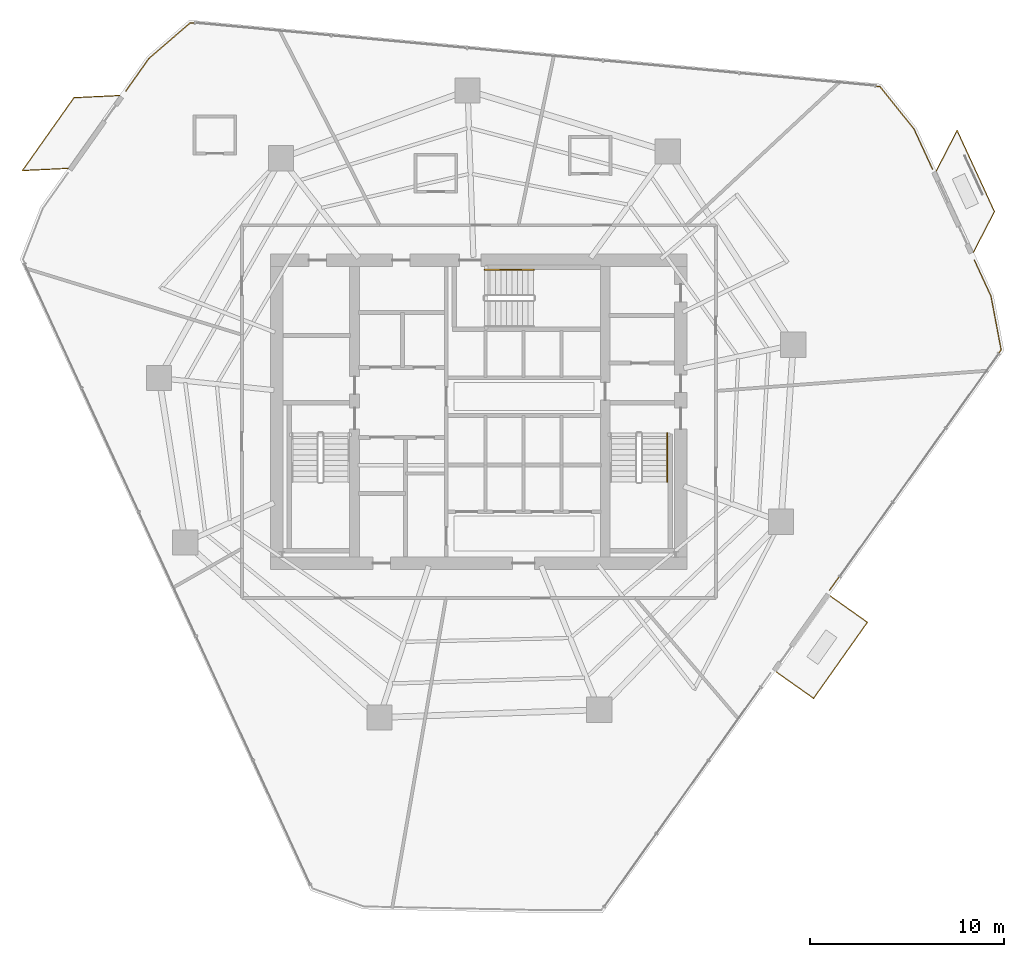
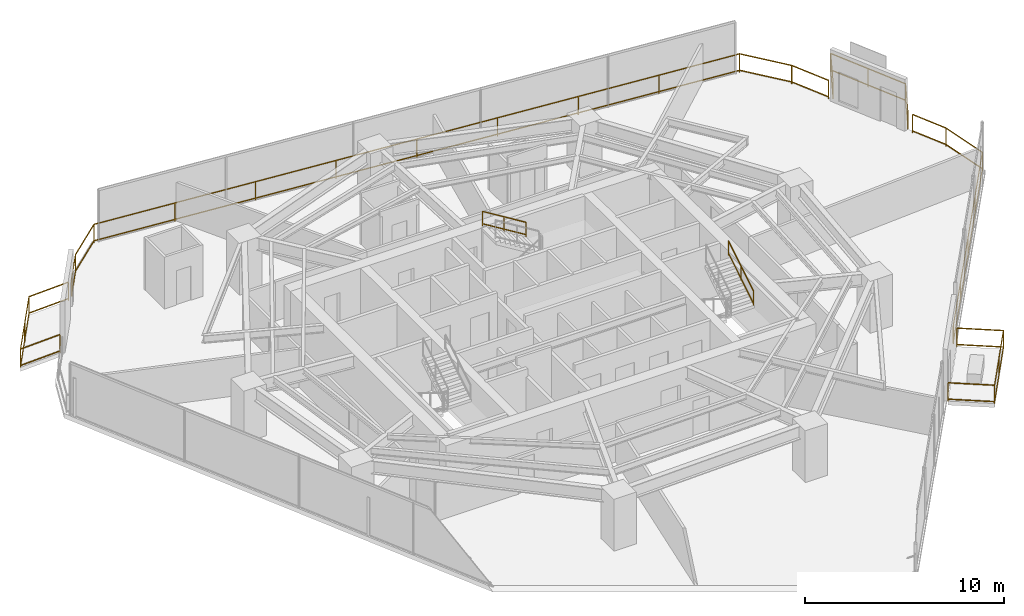
# One storey, part 30 of 30: 8 railings.
"""IFC4 building model written with IfcOpenShell, lengths in metres."""

from ifc_helpers import new_model, si_unit, direction, frame, origin, origin_2d, place, context, subcontext, project, spatial, rectangle, extrude, material, type_object, element, save


model = new_model("IFC4")

# Units and contexts
model_context = context("Model", 3, precision=1e-05, world=origin(), true_north=direction((0.0, 1.0)))
body_context = subcontext(model_context, "Body", "Model", "MODEL_VIEW")
ifc_project = project(units=[si_unit("LENGTHUNIT", "METRE"), si_unit("AREAUNIT", "SQUARE_METRE"), si_unit("VOLUMEUNIT", "CUBIC_METRE"), si_unit("PLANEANGLEUNIT", "RADIAN"), si_unit("MASSUNIT", "GRAM", prefix="KILO")], contexts=[model_context])

# Site, building, storey
site_placement = place(None, origin())
site = spatial("IfcSite", under=ifc_project, at=site_placement, CompositionType="ELEMENT")
building_placement = place(site_placement, origin())
building = spatial("IfcBuilding", under=site, at=building_placement, Name="Qarnah Convention Tower", CompositionType="ELEMENT")
storey_placement = place(building_placement, frame((0.0, 0.0, 47.699951171875)))
storey = spatial("IfcBuildingStorey", under=building, at=storey_placement, Name="L11", CompositionType="ELEMENT", Elevation=47.699951171875)

# Railings
ifc_material_1 = material(Name="Black anodised aluminium", Category="aluminium")
railing_type_1 = type_object("IfcRailingType", Name="RL-EXT-GUARD-1150", PredefinedType="GUARDRAIL", material=ifc_material_1)
railing_1_placement = place(storey_placement, frame((59.60400390625, 40.947021484375, 0.0)))
element("IfcRailing", 1, at=railing_1_placement, inside=storey, type_object=railing_type_1, Name="L11 slab-edge perimeter safety guard 01", PredefinedType="GUARDRAIL", context=body_context, shape_type="SweptSolid", body=[
    extrude(rectangle(XDim=0.048095703125, YDim=0.048095703125, at=origin_2d()), frame((0.0, 0.0, 1.1259765625), z_axis=(0.418324771203, -0.908297520528, 0.0), x_axis=(0.908297520528, 0.418324771203, 0.0)), (0.0, 0.0, 1.0), 2.25927734375),
    extrude(rectangle(XDim=0.048095703125, YDim=0.048095703125, at=origin_2d()), frame((0.0, 0.0, 0.1201171875), z_axis=(0.418324771203, -0.908297520528, 0.0), x_axis=(0.908297520528, 0.418324771203, 0.0)), (0.0, 0.0, 1.0), 2.25927734375),
    extrude(rectangle(XDim=0.0419921875, YDim=0.0419921875, at=origin_2d()), origin(), (0.0, 0.0, 1.0), 1.101806640625),
    extrude(rectangle(XDim=0.0419921875, YDim=0.0419921875, at=origin_2d()), frame((0.945068359375, -2.052001953125, 0.0)), (0.0, 0.0, 1.0), 1.101806640625),
])
railing_2_placement = place(storey_placement, frame((62.7060546875, 34.208984375, 0.0)))
element("IfcRailing", 2, at=railing_2_placement, inside=storey, type_object=railing_type_1, Name="L11 slab-edge perimeter safety guard 02", PredefinedType="GUARDRAIL", context=body_context, shape_type="SweptSolid", body=[
    extrude(rectangle(XDim=0.048095703125, YDim=0.048095703125, at=origin_2d()), frame((0.0, 0.0, 1.1259765625), z_axis=(0.418241926385, -0.908335670892, 0.0), x_axis=(0.908335670892, 0.418241926385, 0.0)), (0.0, 0.0, 1.0), 2.048828125),
    extrude(rectangle(XDim=0.048095703125, YDim=0.048095703125, at=origin_2d()), frame((0.0, 0.0, 0.1201171875), z_axis=(0.418241926385, -0.908335670892, 0.0), x_axis=(0.908335670892, 0.418241926385, 0.0)), (0.0, 0.0, 1.0), 2.048828125),
    extrude(rectangle(XDim=0.048095703125, YDim=0.048095703125, at=origin_2d()), frame((0.85693359375, -1.861083984375, 1.1259765625), z_axis=(0.185905281304, -0.982567670129, 0.0), x_axis=(0.982567670129, 0.185905281304, 0.0)), (0.0, 0.0, 1.0), 2.8076171875),
    extrude(rectangle(XDim=0.048095703125, YDim=0.048095703125, at=origin_2d()), frame((0.85693359375, -1.861083984375, 0.1201171875), z_axis=(0.185905281304, -0.982567670129, 0.0), x_axis=(0.982567670129, 0.185905281304, 0.0)), (0.0, 0.0, 1.0), 2.8076171875),
    extrude(rectangle(XDim=0.048095703125, YDim=0.048095703125, at=origin_2d()), frame((1.37890625, -4.619873046875, 1.1259765625), z_axis=(-0.580780937335, -0.814059888969, 0.0), x_axis=(0.814059888969, -0.580780937335, 0.0)), (0.0, 0.0, 1.0), 15.20556640625),
    extrude(rectangle(XDim=0.048095703125, YDim=0.048095703125, at=origin_2d()), frame((1.37890625, -4.619873046875, 0.1201171875), z_axis=(-0.580780937335, -0.814059888969, 0.0), x_axis=(0.814059888969, -0.580780937335, 0.0)), (0.0, 0.0, 1.0), 15.20556640625),
    extrude(rectangle(XDim=0.0419921875, YDim=0.0419921875, at=origin_2d()), origin(), (0.0, 0.0, 1.0), 1.101806640625),
    extrude(rectangle(XDim=0.0419921875, YDim=0.0419921875, at=origin_2d()), frame((0.85693359375, -1.861083984375, 0.0)), (0.0, 0.0, 1.0), 1.101806640625),
    extrude(rectangle(XDim=0.0419921875, YDim=0.0419921875, at=origin_2d()), frame((1.37890625, -4.619873046875, 0.0)), (0.0, 0.0, 1.0), 1.101806640625),
    extrude(rectangle(XDim=0.0419921875, YDim=0.0419921875, at=origin_2d()), frame((-0.828857421875, -7.71435546875, 0.0)), (0.0, 0.0, 1.0), 1.101806640625),
    extrude(rectangle(XDim=0.0419921875, YDim=0.0419921875, at=origin_2d()), frame((-3.03662109375, -10.80908203125, 0.0)), (0.0, 0.0, 1.0), 1.101806640625),
    extrude(rectangle(XDim=0.0419921875, YDim=0.0419921875, at=origin_2d()), frame((-5.244384765625, -13.903564453125, 0.0)), (0.0, 0.0, 1.0), 1.101806640625),
    extrude(rectangle(XDim=0.0419921875, YDim=0.0419921875, at=origin_2d()), frame((-7.4521484375, -16.998046875, 0.0)), (0.0, 0.0, 1.0), 1.101806640625),
])
railing_3_placement = place(storey_placement, frame((19.034912109375, 42.9140625, 0.0)))
element("IfcRailing", 3, at=railing_3_placement, inside=storey, type_object=railing_type_1, Name="L11 slab-edge perimeter safety guard 04", PredefinedType="GUARDRAIL", context=body_context, shape_type="SweptSolid", body=[
    extrude(rectangle(XDim=0.048095703125, YDim=0.048095703125, at=origin_2d()), frame((0.0, 0.0, 1.1259765625), z_axis=(0.577739678297, 0.816221087771, 0.0), x_axis=(-0.816221087771, 0.577739678297, 0.0)), (0.0, 0.0, 1.0), 2.049560546875),
    extrude(rectangle(XDim=0.048095703125, YDim=0.048095703125, at=origin_2d()), frame((0.0, 0.0, 0.1201171875), z_axis=(0.577739678297, 0.816221087771, 0.0), x_axis=(-0.816221087771, 0.577739678297, 0.0)), (0.0, 0.0, 1.0), 2.049560546875),
    extrude(rectangle(XDim=0.048095703125, YDim=0.048095703125, at=origin_2d()), frame((1.18408203125, 1.6728515625, 1.1259765625), z_axis=(0.757830898488, 0.65245101678, 0.0), x_axis=(-0.65245101678, 0.757830898488, 0.0)), (0.0, 0.0, 1.0), 2.807861328125),
    extrude(rectangle(XDim=0.048095703125, YDim=0.048095703125, at=origin_2d()), frame((1.18408203125, 1.6728515625, 0.1201171875), z_axis=(0.757830898488, 0.65245101678, 0.0), x_axis=(-0.65245101678, 0.757830898488, 0.0)), (0.0, 0.0, 1.0), 2.807861328125),
    extrude(rectangle(XDim=0.048095703125, YDim=0.048095703125, at=origin_2d()), frame((3.31201171875, 3.5048828125, 1.1259765625), z_axis=(0.99575642278, -0.092027965819, 0.0), x_axis=(0.092027965819, 0.99575642278, 0.0)), (0.0, 0.0, 1.0), 35.65234375),
    extrude(rectangle(XDim=0.048095703125, YDim=0.048095703125, at=origin_2d()), frame((3.31201171875, 3.5048828125, 0.1201171875), z_axis=(0.99575642278, -0.092027965819, 0.0), x_axis=(0.092027965819, 0.99575642278, 0.0)), (0.0, 0.0, 1.0), 35.65234375),
    extrude(rectangle(XDim=0.048095703125, YDim=0.048095703125, at=origin_2d()), frame((38.81298828125, 0.223876953125, 1.1259765625), z_axis=(0.625426420015, -0.780283149342, 0.0), x_axis=(0.780283149342, 0.625426420015, 0.0)), (0.0, 0.0, 1.0), 2.807861328125),
    extrude(rectangle(XDim=0.048095703125, YDim=0.048095703125, at=origin_2d()), frame((38.81298828125, 0.223876953125, 0.1201171875), z_axis=(0.625426420015, -0.780283149342, 0.0), x_axis=(0.780283149342, 0.625426420015, 0.0)), (0.0, 0.0, 1.0), 2.807861328125),
    extrude(rectangle(XDim=0.0419921875, YDim=0.0419921875, at=origin_2d()), origin(), (0.0, 0.0, 1.0), 1.101806640625),
    extrude(rectangle(XDim=0.0419921875, YDim=0.0419921875, at=origin_2d()), frame((1.18408203125, 1.6728515625, 0.0)), (0.0, 0.0, 1.0), 1.101806640625),
    extrude(rectangle(XDim=0.0419921875, YDim=0.0419921875, at=origin_2d()), frame((3.31201171875, 3.5048828125, 0.0)), (0.0, 0.0, 1.0), 1.101806640625),
    extrude(rectangle(XDim=0.0419921875, YDim=0.0419921875, at=origin_2d()), frame((7.74951171875, 3.0947265625, 0.0)), (0.0, 0.0, 1.0), 1.101806640625),
    extrude(rectangle(XDim=0.0419921875, YDim=0.0419921875, at=origin_2d()), frame((12.187255859375, 2.6845703125, 0.0)), (0.0, 0.0, 1.0), 1.101806640625),
    extrude(rectangle(XDim=0.0419921875, YDim=0.0419921875, at=origin_2d()), frame((16.625, 2.2744140625, 0.0)), (0.0, 0.0, 1.0), 1.101806640625),
    extrude(rectangle(XDim=0.0419921875, YDim=0.0419921875, at=origin_2d()), frame((21.0625, 1.8642578125, 0.0)), (0.0, 0.0, 1.0), 1.101806640625),
    extrude(rectangle(XDim=0.0419921875, YDim=0.0419921875, at=origin_2d()), frame((25.5, 1.454345703125, 0.0)), (0.0, 0.0, 1.0), 1.101806640625),
    extrude(rectangle(XDim=0.0419921875, YDim=0.0419921875, at=origin_2d()), frame((29.937744140625, 1.044189453125, 0.0)), (0.0, 0.0, 1.0), 1.101806640625),
    extrude(rectangle(XDim=0.0419921875, YDim=0.0419921875, at=origin_2d()), frame((34.37548828125, 0.634033203125, 0.0)), (0.0, 0.0, 1.0), 1.101806640625),
    extrude(rectangle(XDim=0.0419921875, YDim=0.0419921875, at=origin_2d()), frame((38.81298828125, 0.223876953125, 0.0)), (0.0, 0.0, 1.0), 1.101806640625),
    extrude(rectangle(XDim=0.0419921875, YDim=0.0419921875, at=origin_2d()), frame((40.569091796875, -1.967041015625, 0.0)), (0.0, 0.0, 1.0), 1.101806640625),
])
railing_4_placement = place(storey_placement, frame((60.743896484375, 38.79296875, 0.0)))
element("IfcRailing", 4, at=railing_4_placement, inside=storey, type_object=railing_type_1, Name="L11 balcony safety guard BAL-L11-C1", PredefinedType="GUARDRAIL", context=body_context, shape_type="SweptSolid", body=[
    extrude(rectangle(XDim=0.048095703125, YDim=0.048095703125, at=origin_2d()), frame((0.0, 0.0, 1.1259765625), z_axis=(0.458653511795, 0.888615190123, 0.0), x_axis=(-0.888615190123, 0.458653511795, 0.0)), (0.0, 0.0, 1.0), 2.348388671875),
    extrude(rectangle(XDim=0.048095703125, YDim=0.048095703125, at=origin_2d()), frame((0.0, 0.0, 0.1201171875), z_axis=(0.458653511795, 0.888615190123, 0.0), x_axis=(-0.888615190123, 0.458653511795, 0.0)), (0.0, 0.0, 1.0), 2.348388671875),
    extrude(rectangle(XDim=0.048095703125, YDim=0.048095703125, at=origin_2d()), frame((1.0771484375, 2.0869140625, 1.1259765625), z_axis=(0.418001098353, -0.908446521142, 0.0), x_axis=(0.908446521142, 0.418001098353, 0.0)), (0.0, 0.0, 1.0), 4.60009765625),
    extrude(rectangle(XDim=0.048095703125, YDim=0.048095703125, at=origin_2d()), frame((1.0771484375, 2.0869140625, 0.1201171875), z_axis=(0.418001098353, -0.908446521142, 0.0), x_axis=(0.908446521142, 0.418001098353, 0.0)), (0.0, 0.0, 1.0), 4.60009765625),
    extrude(rectangle(XDim=0.048095703125, YDim=0.048095703125, at=origin_2d()), frame((3.0, -2.092041015625, 1.1259765625), z_axis=(-0.458412386965, -0.888739603864, 0.0), x_axis=(0.888739603864, -0.458412386965, 0.0)), (0.0, 0.0, 1.0), 2.34716796875),
    extrude(rectangle(XDim=0.048095703125, YDim=0.048095703125, at=origin_2d()), frame((3.0, -2.092041015625, 0.1201171875), z_axis=(-0.458412386965, -0.888739603864, 0.0), x_axis=(0.888739603864, -0.458412386965, 0.0)), (0.0, 0.0, 1.0), 2.34716796875),
    extrude(rectangle(XDim=0.0419921875, YDim=0.0419921875, at=origin_2d()), origin(), (0.0, 0.0, 1.0), 1.101806640625),
    extrude(rectangle(XDim=0.0419921875, YDim=0.0419921875, at=origin_2d()), frame((1.0771484375, 2.0869140625, 0.0)), (0.0, 0.0, 1.0), 1.101806640625),
    extrude(rectangle(XDim=0.0419921875, YDim=0.0419921875, at=origin_2d()), frame((2.03857421875, -0.00244140625, 0.0)), (0.0, 0.0, 1.0), 1.101806640625),
    extrude(rectangle(XDim=0.0419921875, YDim=0.0419921875, at=origin_2d()), frame((3.0, -2.092041015625, 0.0)), (0.0, 0.0, 1.0), 1.101806640625),
    extrude(rectangle(XDim=0.0419921875, YDim=0.0419921875, at=origin_2d()), frame((1.924072265625, -4.177978515625, 0.0)), (0.0, 0.0, 1.0), 1.101806640625),
])
railing_5_placement = place(storey_placement, frame((16.047119140625, 38.923095703125, 0.0)))
element("IfcRailing", 5, at=railing_5_placement, inside=storey, type_object=railing_type_1, Name="L11 balcony safety guard BAL-L11-C2", PredefinedType="GUARDRAIL", context=body_context, shape_type="SweptSolid", body=[
    extrude(rectangle(XDim=0.048095703125, YDim=0.048095703125, at=origin_2d()), frame((0.0, 0.0, 1.1259765625), z_axis=(-0.998880104217, -0.047313184199, 0.0), x_axis=(0.047313184199, -0.998880104217, 0.0)), (0.0, 0.0, 1.0), 2.347900390625),
    extrude(rectangle(XDim=0.048095703125, YDim=0.048095703125, at=origin_2d()), frame((0.0, 0.0, 0.1201171875), z_axis=(-0.998880104217, -0.047313184199, 0.0), x_axis=(0.047313184199, -0.998880104217, 0.0)), (0.0, 0.0, 1.0), 2.347900390625),
    extrude(rectangle(XDim=0.048095703125, YDim=0.048095703125, at=origin_2d()), frame((-2.34521484375, -0.111083984375, 1.1259765625), z_axis=(0.577481116634, 0.816404042084, 0.0), x_axis=(-0.816404042084, 0.577481116634, 0.0)), (0.0, 0.0, 1.0), 4.599365234375),
    extrude(rectangle(XDim=0.048095703125, YDim=0.048095703125, at=origin_2d()), frame((-2.34521484375, -0.111083984375, 0.1201171875), z_axis=(0.577481116634, 0.816404042084, 0.0), x_axis=(-0.816404042084, 0.577481116634, 0.0)), (0.0, 0.0, 1.0), 4.599365234375),
    extrude(rectangle(XDim=0.048095703125, YDim=0.048095703125, at=origin_2d()), frame((0.310791015625, 3.643798828125, 1.1259765625), z_axis=(0.998879871407, 0.047318099062, 0.0), x_axis=(-0.047318099062, 0.998879871407, 0.0)), (0.0, 0.0, 1.0), 2.34765625),
    extrude(rectangle(XDim=0.048095703125, YDim=0.048095703125, at=origin_2d()), frame((0.310791015625, 3.643798828125, 0.1201171875), z_axis=(0.998879871407, 0.047318099062, 0.0), x_axis=(-0.047318099062, 0.998879871407, 0.0)), (0.0, 0.0, 1.0), 2.34765625),
    extrude(rectangle(XDim=0.0419921875, YDim=0.0419921875, at=origin_2d()), origin(), (0.0, 0.0, 1.0), 1.101806640625),
    extrude(rectangle(XDim=0.0419921875, YDim=0.0419921875, at=origin_2d()), frame((-2.34521484375, -0.111083984375, 0.0)), (0.0, 0.0, 1.0), 1.101806640625),
    extrude(rectangle(XDim=0.0419921875, YDim=0.0419921875, at=origin_2d()), frame((-1.01708984375, 1.766357421875, 0.0)), (0.0, 0.0, 1.0), 1.101806640625),
    extrude(rectangle(XDim=0.0419921875, YDim=0.0419921875, at=origin_2d()), frame((0.310791015625, 3.643798828125, 0.0)), (0.0, 0.0, 1.0), 1.101806640625),
    extrude(rectangle(XDim=0.0419921875, YDim=0.0419921875, at=origin_2d()), frame((2.65576171875, 3.7548828125, 0.0)), (0.0, 0.0, 1.0), 1.101806640625),
])
railing_6_placement = place(storey_placement, frame((55.287109375, 16.91796875, 0.0)))
element("IfcRailing", 6, at=railing_6_placement, inside=storey, type_object=railing_type_1, Name="L11 balcony safety guard VN-L11", PredefinedType="GUARDRAIL", context=body_context, shape_type="SweptSolid", body=[
    extrude(rectangle(XDim=0.048095703125, YDim=0.048095703125, at=origin_2d()), frame((0.0, 0.0, 1.1259765625), z_axis=(0.816155132698, -0.577832847259, 0.0), x_axis=(0.577832847259, 0.816155132698, 0.0)), (0.0, 0.0, 1.0), 2.35009765625),
    extrude(rectangle(XDim=0.048095703125, YDim=0.048095703125, at=origin_2d()), frame((0.0, 0.0, 0.1201171875), z_axis=(0.816155132698, -0.577832847259, 0.0), x_axis=(0.577832847259, 0.816155132698, 0.0)), (0.0, 0.0, 1.0), 2.35009765625),
    extrude(rectangle(XDim=0.048095703125, YDim=0.048095703125, at=origin_2d()), frame((1.91796875, -1.35791015625, 1.1259765625), z_axis=(-0.577565606895, -0.816344271574, 0.0), x_axis=(0.816344271574, -0.577565606895, 0.0)), (0.0, 0.0, 1.0), 4.79931640625),
    extrude(rectangle(XDim=0.048095703125, YDim=0.048095703125, at=origin_2d()), frame((1.91796875, -1.35791015625, 0.1201171875), z_axis=(-0.577565606895, -0.816344271574, 0.0), x_axis=(0.816344271574, -0.577565606895, 0.0)), (0.0, 0.0, 1.0), 4.79931640625),
    extrude(rectangle(XDim=0.048095703125, YDim=0.048095703125, at=origin_2d()), frame((-0.85400390625, -5.27587890625, 1.1259765625), z_axis=(-0.816385768664, 0.577506949502, 0.0), x_axis=(-0.577506949502, -0.816385768664, 0.0)), (0.0, 0.0, 1.0), 2.349609375),
    extrude(rectangle(XDim=0.048095703125, YDim=0.048095703125, at=origin_2d()), frame((-0.85400390625, -5.27587890625, 0.1201171875), z_axis=(-0.816385768664, 0.577506949502, 0.0), x_axis=(-0.577506949502, -0.816385768664, 0.0)), (0.0, 0.0, 1.0), 2.349609375),
    extrude(rectangle(XDim=0.0419921875, YDim=0.0419921875, at=origin_2d()), origin(), (0.0, 0.0, 1.0), 1.101806640625),
    extrude(rectangle(XDim=0.0419921875, YDim=0.0419921875, at=origin_2d()), frame((1.91796875, -1.35791015625, 0.0)), (0.0, 0.0, 1.0), 1.101806640625),
    extrude(rectangle(XDim=0.0419921875, YDim=0.0419921875, at=origin_2d()), frame((0.531982421875, -3.31689453125, 0.0)), (0.0, 0.0, 1.0), 1.101806640625),
    extrude(rectangle(XDim=0.0419921875, YDim=0.0419921875, at=origin_2d()), frame((-0.85400390625, -5.27587890625, 0.0)), (0.0, 0.0, 1.0), 1.101806640625),
    extrude(rectangle(XDim=0.0419921875, YDim=0.0419921875, at=origin_2d()), frame((-2.772216796875, -3.9189453125, 0.0)), (0.0, 0.0, 1.0), 1.101806640625),
])
ifc_material_2 = material(Name="Structural steel S355JR", Category="steel")
railing_type_2 = type_object("IfcRailingType", Name="RL-STAIR-HAND-900", PredefinedType="HANDRAIL", material=ifc_material_2)
railing_7_placement = place(storey_placement, frame((46.89990234375, 22.780029296875, 1.8974609375)))
element("IfcRailing", 7, at=railing_7_placement, inside=storey, type_object=railing_type_2, Name="L11 ST-2 stair handrail 2", PredefinedType="HANDRAIL", context=body_context, shape_type="SweptSolid", body=[
    extrude(rectangle(XDim=0.048095703125, YDim=0.048095703125, at=origin_2d()), frame((0.0, 0.0, 0.8759765625), z_axis=(0.0, 0.851400495292, 0.524516154772), x_axis=(-1.0, 0.0, 0.0)), (0.0, 0.0, 1.0), 2.9599609375),
    extrude(rectangle(XDim=0.048095703125, YDim=0.048095703125, at=origin_2d()), frame((0.0, 0.0, 0.1201171875), z_axis=(0.0, 0.851400495292, 0.524516154772), x_axis=(-1.0, 0.0, 0.0)), (0.0, 0.0, 1.0), 2.9599609375),
    extrude(rectangle(XDim=0.0419921875, YDim=0.0419921875, at=origin_2d()), origin(), (0.0, 0.0, 1.0), 0.851806640625),
    extrude(rectangle(XDim=0.0419921875, YDim=0.0419921875, at=origin_2d()), frame((0.0, 1.260009765625, 0.7763671875)), (0.0, 0.0, 1.0), 0.851806640625),
    extrude(rectangle(XDim=0.0419921875, YDim=0.0419921875, at=origin_2d()), frame((0.0, 2.52001953125, 1.552490234375)), (0.0, 0.0, 1.0), 0.851806640625),
])
railing_8_placement = place(storey_placement, frame((40.02001953125, 33.699951171875, 1.8974609375)))
element("IfcRailing", 8, at=railing_8_placement, inside=storey, type_object=railing_type_2, Name="L11 ST-3 stair handrail 2", PredefinedType="HANDRAIL", context=body_context, shape_type="SweptSolid", body=[
    extrude(rectangle(XDim=0.048095703125, YDim=0.048095703125, at=origin_2d()), frame((0.0, 0.0, 0.8759765625), z_axis=(-0.851400495292, 0.0, 0.524516154772), x_axis=(0.0, -1.0, 0.0)), (0.0, 0.0, 1.0), 2.9599609375),
    extrude(rectangle(XDim=0.048095703125, YDim=0.048095703125, at=origin_2d()), frame((0.0, 0.0, 0.1201171875), z_axis=(-0.851400495292, 0.0, 0.524516154772), x_axis=(0.0, -1.0, 0.0)), (0.0, 0.0, 1.0), 2.9599609375),
    extrude(rectangle(XDim=0.0419921875, YDim=0.0419921875, at=origin_2d()), origin(), (0.0, 0.0, 1.0), 0.851806640625),
    extrude(rectangle(XDim=0.0419921875, YDim=0.0419921875, at=origin_2d()), frame((-1.260009765625, 0.0, 0.7763671875)), (0.0, 0.0, 1.0), 0.851806640625),
    extrude(rectangle(XDim=0.0419921875, YDim=0.0419921875, at=origin_2d()), frame((-2.52001953125, 0.0, 1.552490234375)), (0.0, 0.0, 1.0), 0.851806640625),
])

save(model, "model.ifc")
